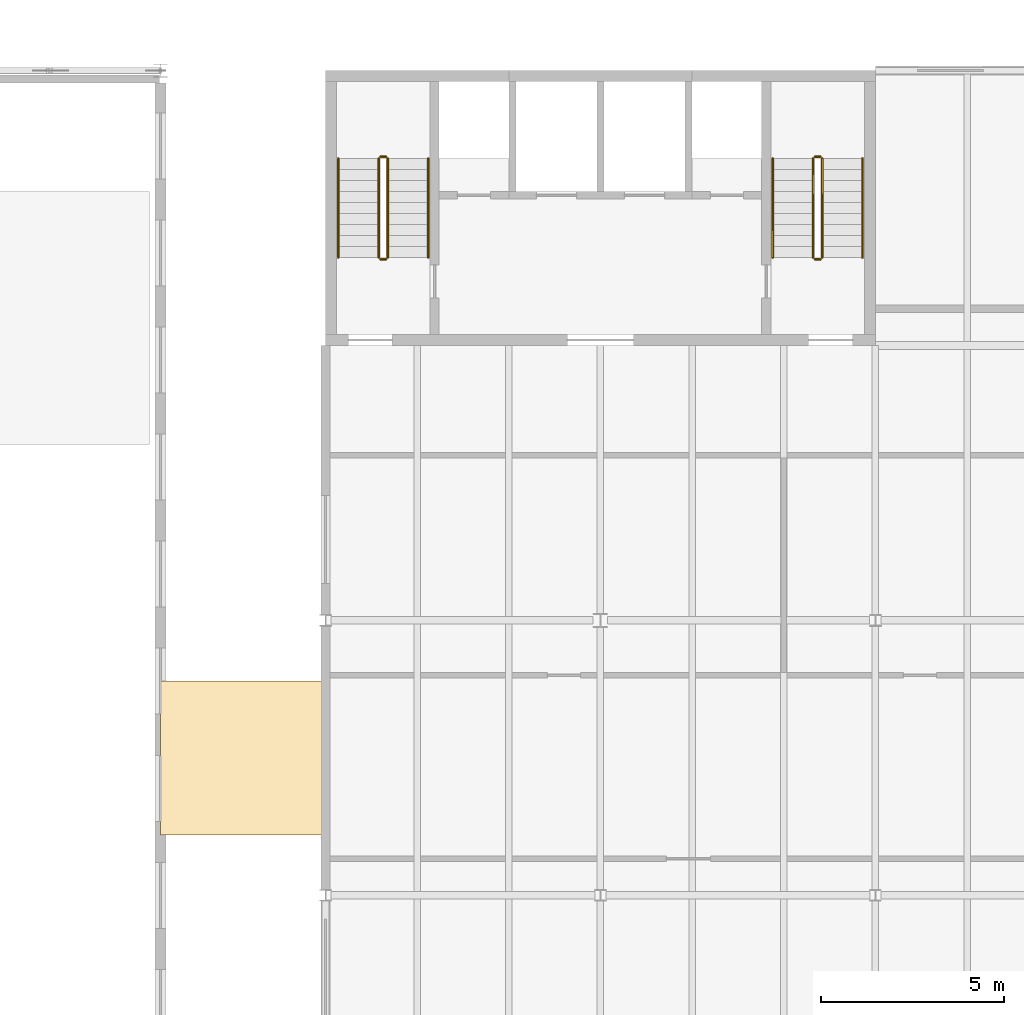
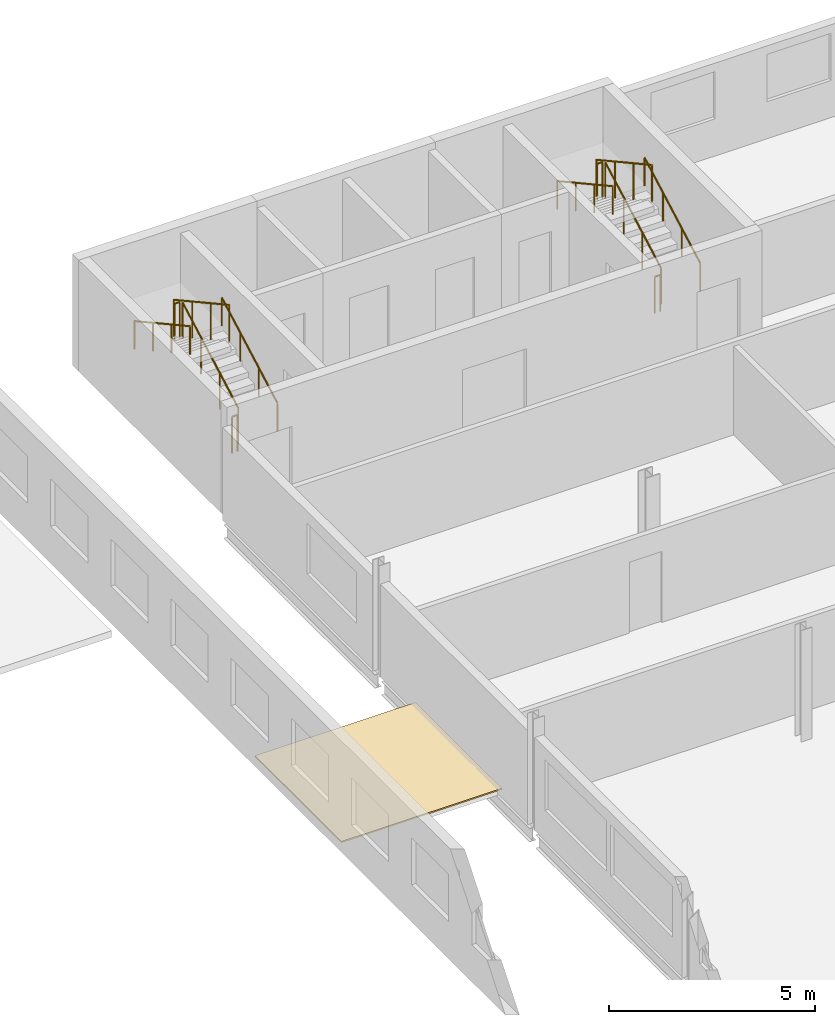
# One storey, part 179 of 198: 12 railings, 1 covering.
"""IFC4 building model written with IfcOpenShell, lengths in metres."""

from ifc_helpers import new_model, si_unit, direction, frame, origin, origin_2d, place, context, subcontext, project, spatial, polyline, circle, outline, extrude, material, layer, layer_set, type_object, element, save


model = new_model("IFC4")

# Units and contexts
model_context = context("Model", 3, precision=1e-05, world=origin(), true_north=direction((0.0, 1.0)))
body_context = subcontext(model_context, "Body", "Model", "MODEL_VIEW")
ifc_project = project(units=[si_unit("LENGTHUNIT", "METRE"), si_unit("AREAUNIT", "SQUARE_METRE"), si_unit("VOLUMEUNIT", "CUBIC_METRE"), si_unit("PLANEANGLEUNIT", "RADIAN"), si_unit("MASSUNIT", "GRAM", prefix="KILO")], contexts=[model_context])

# Site, building, storey
site_placement = place(None, origin())
site = spatial("IfcSite", under=ifc_project, at=site_placement, CompositionType="ELEMENT")
building_placement = place(site_placement, origin())
building = spatial("IfcBuilding", under=site, at=building_placement, Name="Parallax Yard Mobility Hub", CompositionType="ELEMENT")
storey_placement = place(building_placement, frame((0.0, 0.0, 6.60009765625)))
storey = spatial("IfcBuildingStorey", under=building, at=storey_placement, Name="L02", CompositionType="ELEMENT", Elevation=6.60009765625)

# Railings
ifc_material_1 = material(Name="Steel ASTM A36", Category="steel")
railing_type_1 = type_object("IfcRailingType", Name="Stair guard 1100", PredefinedType="GUARDRAIL", material=ifc_material_1)
railing_1_placement = place(storey_placement, frame((99.199951171875, 47.39990234375, 0.164794921875)))
element("IfcRailing", 1, at=railing_1_placement, inside=storey, type_object=railing_type_1, Name="L02 ST11 stair guard 1", PredefinedType="GUARDRAIL", context=body_context, shape_type="SweptSolid", body=[
    extrude(circle(Radius=0.02392578125, at=origin_2d()), frame((0.0, 0.0, 1.076171875), z_axis=(0.0, 0.876215908677, 0.481918749772), x_axis=(-1.0, 0.0, 0.0)), (0.0, 0.0, 1.0), 3.08154296875),
    extrude(circle(Radius=0.02099609375, at=origin_2d()), origin(), (0.0, 0.0, 1.0), 1.052001953125),
    extrude(circle(Radius=0.02099609375, at=origin_2d()), frame((0.0, 0.900146484375, 0.4951171875)), (0.0, 0.0, 1.0), 1.052001953125),
    extrude(circle(Radius=0.02099609375, at=origin_2d()), frame((0.0, 1.800048828125, 0.989990234375)), (0.0, 0.0, 1.0), 1.052001953125),
    extrude(circle(Radius=0.02099609375, at=origin_2d()), frame((0.0, 2.7001953125, 1.485107421875)), (0.0, 0.0, 1.0), 1.052001953125),
])
railing_2_placement = place(storey_placement, frame((99.14990234375, 50.14990234375, 1.64990234375)))
element("IfcRailing", 2, at=railing_2_placement, inside=storey, type_object=railing_type_1, Name="L02 ST11 stair guard 2", PredefinedType="GUARDRAIL", context=body_context, shape_type="SweptSolid", body=[
    extrude(circle(Radius=0.02392578125, at=origin_2d()), frame((0.0, 0.0, 1.076171875), z_axis=(-1.0, 0.0, 0.0), x_axis=(0.0, -1.0, 0.0)), (0.0, 0.0, 1.0), 0.14990234375),
    extrude(circle(Radius=0.02099609375, at=origin_2d()), origin(), (0.0, 0.0, 1.0), 1.052001953125),
    extrude(circle(Radius=0.02099609375, at=origin_2d()), frame((-0.14990234375, 0.0, 0.0)), (0.0, 0.0, 1.0), 1.052001953125),
])
railing_3_placement = place(storey_placement, frame((98.949951171875, 50.10009765625, 1.81494140625)))
element("IfcRailing", 3, at=railing_3_placement, inside=storey, type_object=railing_type_1, Name="L02 ST11 stair guard 3", PredefinedType="GUARDRAIL", context=body_context, shape_type="SweptSolid", body=[
    extrude(circle(Radius=0.02392578125, at=origin_2d()), frame((0.0, 0.0, 1.076171875), z_axis=(0.0, -0.876249361297, 0.481857921827), x_axis=(1.0, 0.0, 0.0)), (0.0, 0.0, 1.0), 3.08154296875),
    extrude(circle(Radius=0.02099609375, at=origin_2d()), origin(), (0.0, 0.0, 1.0), 1.052001953125),
    extrude(circle(Radius=0.02099609375, at=origin_2d()), frame((0.0, -0.900146484375, 0.494873046875)), (0.0, 0.0, 1.0), 1.052001953125),
    extrude(circle(Radius=0.02099609375, at=origin_2d()), frame((0.0, -1.800048828125, 0.989990234375)), (0.0, 0.0, 1.0), 1.052001953125),
    extrude(circle(Radius=0.02099609375, at=origin_2d()), frame((0.0, -2.7001953125, 1.48486328125)), (0.0, 0.0, 1.0), 1.052001953125),
])
railing_4_placement = place(storey_placement, frame((99.14990234375, 47.35009765625, 0.0)))
element("IfcRailing", 4, at=railing_4_placement, inside=storey, type_object=railing_type_1, Name="L02 ST11 stair guard 4", PredefinedType="GUARDRAIL", context=body_context, shape_type="SweptSolid", body=[
    extrude(circle(Radius=0.02392578125, at=origin_2d()), frame((0.0, 0.0, 1.076171875), z_axis=(-1.0, 0.0, 0.0), x_axis=(0.0, -1.0, 0.0)), (0.0, 0.0, 1.0), 0.14990234375),
    extrude(circle(Radius=0.02099609375, at=origin_2d()), origin(), (0.0, 0.0, 1.0), 1.052001953125),
    extrude(circle(Radius=0.02099609375, at=origin_2d()), frame((-0.14990234375, 0.0, 0.0)), (0.0, 0.0, 1.0), 1.052001953125),
])
railing_5_placement = place(storey_placement, frame((111.050048828125, 47.39990234375, 0.164794921875)))
element("IfcRailing", 5, at=railing_5_placement, inside=storey, type_object=railing_type_1, Name="L02 ST12 stair guard 1", PredefinedType="GUARDRAIL", context=body_context, shape_type="SweptSolid", body=[
    extrude(circle(Radius=0.02392578125, at=origin_2d()), frame((0.0, 0.0, 1.076171875), z_axis=(0.0, 0.876215908677, 0.481918749772), x_axis=(-1.0, 0.0, 0.0)), (0.0, 0.0, 1.0), 3.08154296875),
    extrude(circle(Radius=0.02099609375, at=origin_2d()), origin(), (0.0, 0.0, 1.0), 1.052001953125),
    extrude(circle(Radius=0.02099609375, at=origin_2d()), frame((0.0, 0.900146484375, 0.4951171875)), (0.0, 0.0, 1.0), 1.052001953125),
    extrude(circle(Radius=0.02099609375, at=origin_2d()), frame((0.0, 1.800048828125, 0.989990234375)), (0.0, 0.0, 1.0), 1.052001953125),
    extrude(circle(Radius=0.02099609375, at=origin_2d()), frame((0.0, 2.7001953125, 1.485107421875)), (0.0, 0.0, 1.0), 1.052001953125),
])
railing_6_placement = place(storey_placement, frame((111.0, 50.14990234375, 1.64990234375)))
element("IfcRailing", 6, at=railing_6_placement, inside=storey, type_object=railing_type_1, Name="L02 ST12 stair guard 2", PredefinedType="GUARDRAIL", context=body_context, shape_type="SweptSolid", body=[
    extrude(circle(Radius=0.02392578125, at=origin_2d()), frame((0.0, 0.0, 1.076171875), z_axis=(-1.0, 0.0, 0.0), x_axis=(0.0, -1.0, 0.0)), (0.0, 0.0, 1.0), 0.14990234375),
    extrude(circle(Radius=0.02099609375, at=origin_2d()), origin(), (0.0, 0.0, 1.0), 1.052001953125),
    extrude(circle(Radius=0.02099609375, at=origin_2d()), frame((-0.14990234375, 0.0, 0.0)), (0.0, 0.0, 1.0), 1.052001953125),
])
railing_7_placement = place(storey_placement, frame((110.800048828125, 50.10009765625, 1.81494140625)))
element("IfcRailing", 7, at=railing_7_placement, inside=storey, type_object=railing_type_1, Name="L02 ST12 stair guard 3", PredefinedType="GUARDRAIL", context=body_context, shape_type="SweptSolid", body=[
    extrude(circle(Radius=0.02392578125, at=origin_2d()), frame((0.0, 0.0, 1.076171875), z_axis=(0.0, -0.876249361297, 0.481857921827), x_axis=(1.0, 0.0, 0.0)), (0.0, 0.0, 1.0), 3.08154296875),
    extrude(circle(Radius=0.02099609375, at=origin_2d()), origin(), (0.0, 0.0, 1.0), 1.052001953125),
    extrude(circle(Radius=0.02099609375, at=origin_2d()), frame((0.0, -0.900146484375, 0.494873046875)), (0.0, 0.0, 1.0), 1.052001953125),
    extrude(circle(Radius=0.02099609375, at=origin_2d()), frame((0.0, -1.800048828125, 0.989990234375)), (0.0, 0.0, 1.0), 1.052001953125),
    extrude(circle(Radius=0.02099609375, at=origin_2d()), frame((0.0, -2.7001953125, 1.48486328125)), (0.0, 0.0, 1.0), 1.052001953125),
])
railing_8_placement = place(storey_placement, frame((111.0, 47.35009765625, 0.0)))
element("IfcRailing", 8, at=railing_8_placement, inside=storey, type_object=railing_type_1, Name="L02 ST12 stair guard 4", PredefinedType="GUARDRAIL", context=body_context, shape_type="SweptSolid", body=[
    extrude(circle(Radius=0.02392578125, at=origin_2d()), frame((0.0, 0.0, 1.076171875), z_axis=(-1.0, 0.0, 0.0), x_axis=(0.0, -1.0, 0.0)), (0.0, 0.0, 1.0), 0.14990234375),
    extrude(circle(Radius=0.02099609375, at=origin_2d()), origin(), (0.0, 0.0, 1.0), 1.052001953125),
    extrude(circle(Radius=0.02099609375, at=origin_2d()), frame((-0.14990234375, 0.0, 0.0)), (0.0, 0.0, 1.0), 1.052001953125),
])
railing_type_2 = type_object("IfcRailingType", Name="Stair handrail", PredefinedType="HANDRAIL", material=ifc_material_1)
railing_9_placement = place(storey_placement, frame((100.300048828125, 47.39990234375, 0.164794921875)))
element("IfcRailing", 9, at=railing_9_placement, inside=storey, type_object=railing_type_2, Name="L02 ST11 stair handrail 1", PredefinedType="HANDRAIL", context=body_context, shape_type="SweptSolid", body=[
    extrude(circle(Radius=0.02392578125, at=origin_2d()), frame((0.0, 0.0, 0.8310546875), z_axis=(0.0, 0.876215908677, 0.481918749772), x_axis=(-1.0, 0.0, 0.0)), (0.0, 0.0, 1.0), 3.08154296875),
    extrude(circle(Radius=0.02099609375, at=origin_2d()), origin(), (0.0, 0.0, 1.0), 0.806884765625),
    extrude(circle(Radius=0.02099609375, at=origin_2d()), frame((0.0, 0.900146484375, 0.4951171875)), (0.0, 0.0, 1.0), 0.806884765625),
    extrude(circle(Radius=0.02099609375, at=origin_2d()), frame((0.0, 1.800048828125, 0.989990234375)), (0.0, 0.0, 1.0), 0.806884765625),
    extrude(circle(Radius=0.02099609375, at=origin_2d()), frame((0.0, 2.7001953125, 1.485107421875)), (0.0, 0.0, 1.0), 0.806884765625),
])
railing_10_placement = place(storey_placement, frame((97.85009765625, 50.10009765625, 1.81494140625)))
element("IfcRailing", 10, at=railing_10_placement, inside=storey, type_object=railing_type_2, Name="L02 ST11 stair handrail 2", PredefinedType="HANDRAIL", context=body_context, shape_type="SweptSolid", body=[
    extrude(circle(Radius=0.02392578125, at=origin_2d()), frame((0.0, 0.0, 0.8310546875), z_axis=(0.0, -0.876249361297, 0.481857921827), x_axis=(1.0, 0.0, 0.0)), (0.0, 0.0, 1.0), 3.08154296875),
    extrude(circle(Radius=0.02099609375, at=origin_2d()), origin(), (0.0, 0.0, 1.0), 0.806884765625),
    extrude(circle(Radius=0.02099609375, at=origin_2d()), frame((0.0, -0.900146484375, 0.494873046875)), (0.0, 0.0, 1.0), 0.806884765625),
    extrude(circle(Radius=0.02099609375, at=origin_2d()), frame((0.0, -1.800048828125, 0.989990234375)), (0.0, 0.0, 1.0), 0.806884765625),
    extrude(circle(Radius=0.02099609375, at=origin_2d()), frame((0.0, -2.7001953125, 1.48486328125)), (0.0, 0.0, 1.0), 0.806884765625),
])
railing_11_placement = place(storey_placement, frame((112.14990234375, 47.39990234375, 0.164794921875)))
element("IfcRailing", 11, at=railing_11_placement, inside=storey, type_object=railing_type_2, Name="L02 ST12 stair handrail 1", PredefinedType="HANDRAIL", context=body_context, shape_type="SweptSolid", body=[
    extrude(circle(Radius=0.02392578125, at=origin_2d()), frame((0.0, 0.0, 0.8310546875), z_axis=(0.0, 0.876215908677, 0.481918749772), x_axis=(-1.0, 0.0, 0.0)), (0.0, 0.0, 1.0), 3.08154296875),
    extrude(circle(Radius=0.02099609375, at=origin_2d()), origin(), (0.0, 0.0, 1.0), 0.806884765625),
    extrude(circle(Radius=0.02099609375, at=origin_2d()), frame((0.0, 0.900146484375, 0.4951171875)), (0.0, 0.0, 1.0), 0.806884765625),
    extrude(circle(Radius=0.02099609375, at=origin_2d()), frame((0.0, 1.800048828125, 0.989990234375)), (0.0, 0.0, 1.0), 0.806884765625),
    extrude(circle(Radius=0.02099609375, at=origin_2d()), frame((0.0, 2.7001953125, 1.485107421875)), (0.0, 0.0, 1.0), 0.806884765625),
])
railing_12_placement = place(storey_placement, frame((109.699951171875, 50.10009765625, 1.81494140625)))
element("IfcRailing", 12, at=railing_12_placement, inside=storey, type_object=railing_type_2, Name="L02 ST12 stair handrail 2", PredefinedType="HANDRAIL", context=body_context, shape_type="SweptSolid", body=[
    extrude(circle(Radius=0.02392578125, at=origin_2d()), frame((0.0, 0.0, 0.8310546875), z_axis=(0.0, -0.876249361297, 0.481857921827), x_axis=(1.0, 0.0, 0.0)), (0.0, 0.0, 1.0), 3.08154296875),
    extrude(circle(Radius=0.02099609375, at=origin_2d()), origin(), (0.0, 0.0, 1.0), 0.806884765625),
    extrude(circle(Radius=0.02099609375, at=origin_2d()), frame((0.0, -0.900146484375, 0.494873046875)), (0.0, 0.0, 1.0), 0.806884765625),
    extrude(circle(Radius=0.02099609375, at=origin_2d()), frame((0.0, -1.800048828125, 0.989990234375)), (0.0, 0.0, 1.0), 0.806884765625),
    extrude(circle(Radius=0.02099609375, at=origin_2d()), frame((0.0, -2.7001953125, 1.48486328125)), (0.0, 0.0, 1.0), 0.806884765625),
])

# Covering
ifc_material_2 = material(Name="Aluminium-zinc coated standing seam sheeting", Category="aluminium")
ifc_layer = layer(ifc_material_2, 0.0400390625)
ifc_layer_set = layer_set([ifc_layer], Name="Standing seam roof sheeting 40")
covering_type = type_object("IfcCoveringType", Name="Standing seam roof sheeting 40", PredefinedType="ROOFING", material=ifc_layer_set)
covering_placement = place(storey_placement, frame((93.0, 31.64990234375, 0.10888671875), z_axis=(0.0, 0.0, 1.0), x_axis=(1.0, 0.0, 0.0)))
element("IfcCovering", 13, at=covering_placement, inside=storey, type_object=covering_type, Name="Roof sheeting on roof plate BR-BR1-RF", PredefinedType="ROOFING", context=body_context, shape_type="SweptSolid", body=[
    extrude(outline(polyline([(0.0, 0.0), (4.5, 0.0), (4.5, 4.2001953125), (0.0, 4.2001953125), (0.0, 0.0)])), origin(), (0.0, 0.0, -1.0), 0.0400390625),
])

save(model, "model.ifc")
